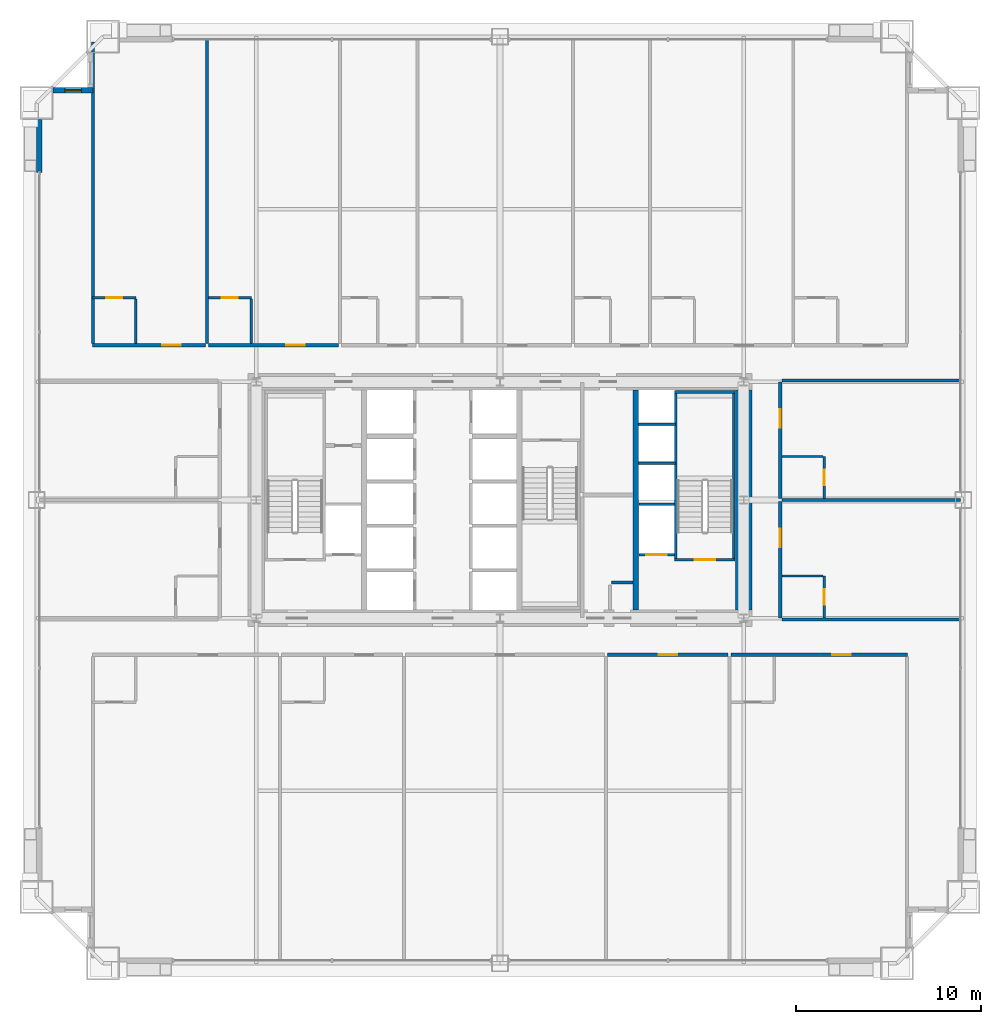
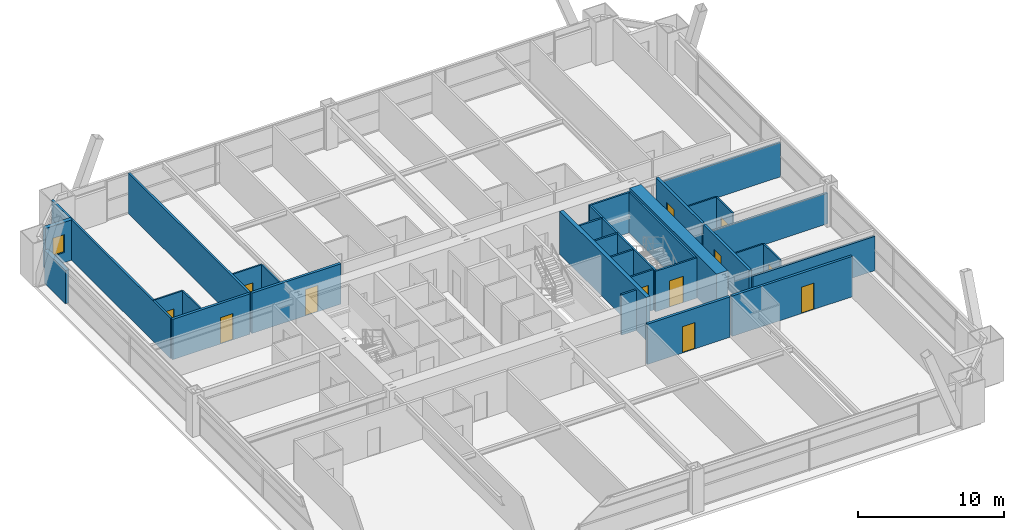
# One storey, part 41 of 43: 32 walls, 12 doors, 1 window, 13 openings.
"""IFC4 building model written with IfcOpenShell, lengths in metres."""

from ifc_helpers import new_model, si_unit, direction, frame, frame_2d, origin, place, context, subcontext, project, spatial, rectangle, extrude, source, transform, mapped, material, layer, layer_set, type_object, element, fill, save


model = new_model("IFC4")

# Units and contexts
model_context = context("Model", 3, precision=1e-05, world=origin(), true_north=direction((0.0, 1.0)))
body_context = subcontext(model_context, "Body", "Model", "MODEL_VIEW")
ifc_project = project(units=[si_unit("LENGTHUNIT", "METRE"), si_unit("AREAUNIT", "SQUARE_METRE"), si_unit("VOLUMEUNIT", "CUBIC_METRE"), si_unit("PLANEANGLEUNIT", "RADIAN"), si_unit("MASSUNIT", "GRAM", prefix="KILO"), si_unit("THERMODYNAMICTEMPERATUREUNIT", "KELVIN"), si_unit("POWERUNIT", "WATT")], contexts=[model_context])

# Site, building, storey
site_placement = place(None, origin())
site = spatial("IfcSite", under=ifc_project, at=site_placement, CompositionType="ELEMENT")
building_placement = place(site_placement, origin())
building = spatial("IfcBuilding", under=site, at=building_placement, Name="Yuzanri Waterfront Tower", CompositionType="ELEMENT")
storey_placement = place(building_placement, frame((0.0, 0.0, 46.0)))
storey = spatial("IfcBuildingStorey", under=building, at=storey_placement, Name="L11", CompositionType="ELEMENT", Elevation=46.0)

# Wall, opening, door
ifc_material_1 = material(Name="Moisture-Resistant Gypsum Stud Wall", Category="gypsum")
ifc_layer_1 = layer(ifc_material_1, 0.1201171875)
ifc_layer_set_1 = layer_set([ifc_layer_1], Name="Moisture-Resistant Gypsum Stud Wall")
wall_type_1 = type_object("IfcWallType", Name="Bathroom and Kitchen Wet Partition 120", PredefinedType="PARTITIONING", material=ifc_layer_set_1)
wall_1_placement = place(storey_placement, frame((14.93994140625, 36.760009765625, 0.0), z_axis=(0.0, 0.0, 1.0), x_axis=(1.0, 0.0, 0.0)))
wall_1 = element("IfcWall", 1, at=wall_1_placement, inside=storey, type_object=wall_type_1, Name="L11 Partition UW-L11-N1-BN", PredefinedType="PARTITIONING", context=body_context, shape_type="SweptSolid", body=[
    extrude(rectangle(XDim=2.330078125, YDim=0.1201171875, at=frame_2d((1.1650390625, 0.0))), origin(), (0.0, 0.0, 1.0), 3.3798828125),
])
opening_1_placement = place(wall_1_placement, frame((0.739990234375, 0.0, 0.0)))
opening_1 = element("IfcOpeningElement", 2, at=opening_1_placement, cuts=wall_1, Name="Opening ID-0850", PredefinedType="OPENING", context=body_context, shape_type="SweptSolid", body=[
    extrude(rectangle(XDim=0.85009765625, YDim=2.10009765625, at=frame_2d((0.425048828125, 1.050048828125))), frame((0.0, 0.074951171875, 0.0), z_axis=(0.0, -1.0, 0.0), x_axis=(1.0, 0.0, 0.0)), (0.0, 0.0, 1.0), 0.14990234375),
])
ifc_material_2 = material(Name="Moisture-Resistant Lacquered Timber", Category="wood")
door_type_1 = type_object("IfcDoorType", Name="En-Suite Bathroom and Kitchen Swing Door 850x2100", OperationType="NOTDEFINED", PredefinedType="DOOR", material=ifc_material_2)
shared_shape_1 = source(origin(), body_context, "Body", "SweptSolid", [
    extrude(rectangle(XDim=0.85009765625, YDim=2.10009765625, at=frame_2d((0.425048828125, 1.050048828125))), frame((0.0, 0.02490234375, 0.0), z_axis=(0.0, -1.0, 0.0), x_axis=(1.0, 0.0, 0.0)), (0.0, 0.0, 1.0), 0.050048828125),
])
door_1_placement = place(opening_1_placement, origin())
door_1 = element("IfcDoor", 3, at=door_1_placement, inside=storey, type_object=door_type_1, Name="L11 Guest En-Suite Door", OperationType="SINGLE_SWING_LEFT", OverallHeight=2.10009765625, OverallWidth=0.85009765625, PredefinedType="DOOR", context=body_context, shape_type="MappedRepresentation", body=[
    mapped(shared_shape_1, transform((0.0, 0.0, 0.0), scale=1.0)),
])
fill(opening_1, door_1)

wall_2_placement = place(storey_placement, frame((21.197021484375, 36.760009765625, 0.0), z_axis=(0.0, 0.0, 1.0), x_axis=(1.0, 0.0, 0.0)))
wall_2 = element("IfcWall", 4, at=wall_2_placement, inside=storey, type_object=wall_type_1, Name="L11 Partition UW-L11-N2-BN", PredefinedType="PARTITIONING", context=body_context, shape_type="SweptSolid", body=[
    extrude(rectangle(XDim=2.330078125, YDim=0.1201171875, at=frame_2d((1.1650390625, 0.0))), origin(), (0.0, 0.0, 1.0), 3.3798828125),
])
opening_2_placement = place(wall_2_placement, frame((0.739990234375, 0.0, 0.0)))
opening_2 = element("IfcOpeningElement", 5, at=opening_2_placement, cuts=wall_2, Name="Opening ID-0850", PredefinedType="OPENING", context=body_context, shape_type="SweptSolid", body=[
    extrude(rectangle(XDim=0.85009765625, YDim=2.10009765625, at=frame_2d((0.425048828125, 1.050048828125))), frame((0.0, 0.074951171875, 0.0), z_axis=(0.0, -1.0, 0.0), x_axis=(1.0, 0.0, 0.0)), (0.0, 0.0, 1.0), 0.14990234375),
])
door_2_placement = place(opening_2_placement, origin())
door_2 = element("IfcDoor", 6, at=door_2_placement, inside=storey, type_object=door_type_1, Name="L11 Guest En-Suite Door", OperationType="SINGLE_SWING_LEFT", OverallHeight=2.10009765625, OverallWidth=0.85009765625, PredefinedType="DOOR", context=body_context, shape_type="MappedRepresentation", body=[
    mapped(shared_shape_1, transform((0.0, 0.0, 0.0), scale=1.0)),
])
fill(opening_2, door_2)

wall_3_placement = place(storey_placement, frame((54.56005859375, 19.409912109375, 0.0), z_axis=(0.0, 0.0, 1.0), x_axis=(0.0, 1.0, 0.0)))
wall_3 = element("IfcWall", 7, at=wall_3_placement, inside=storey, type_object=wall_type_1, Name="L11 Partition UW-L11-E1-BE2", PredefinedType="PARTITIONING", context=body_context, shape_type="SweptSolid", body=[
    extrude(rectangle(XDim=2.280029296875, YDim=0.1201171875, at=frame_2d((1.14013671875, 0.0))), origin(), (0.0, 0.0, 1.0), 3.3798828125),
])
opening_3_placement = place(wall_3_placement, frame((0.715087890625, 0.0, 0.0)))
opening_3 = element("IfcOpeningElement", 8, at=opening_3_placement, cuts=wall_3, Name="Opening ID-0850", PredefinedType="OPENING", context=body_context, shape_type="SweptSolid", body=[
    extrude(rectangle(XDim=0.85009765625, YDim=2.10009765625, at=frame_2d((0.425048828125, 1.050048828125))), frame((0.0, 0.074951171875, 0.0), z_axis=(0.0, -1.0, 0.0), x_axis=(1.0, 0.0, 0.0)), (0.0, 0.0, 1.0), 0.14990234375),
])
door_3_placement = place(opening_3_placement, origin())
door_3 = element("IfcDoor", 9, at=door_3_placement, inside=storey, type_object=door_type_1, Name="L11 Guest En-Suite Door", OperationType="SINGLE_SWING_LEFT", OverallHeight=2.10009765625, OverallWidth=0.85009765625, PredefinedType="DOOR", context=body_context, shape_type="MappedRepresentation", body=[
    mapped(shared_shape_1, transform((0.0, 0.0, 0.0), scale=1.0)),
])
fill(opening_3, door_3)

wall_4_placement = place(storey_placement, frame((54.56005859375, 25.8798828125, 0.0), z_axis=(0.0, 0.0, 1.0), x_axis=(0.0, 1.0, 0.0)))
wall_4 = element("IfcWall", 10, at=wall_4_placement, inside=storey, type_object=wall_type_1, Name="L11 Partition UW-L11-E2-BE2", PredefinedType="PARTITIONING", context=body_context, shape_type="SweptSolid", body=[
    extrude(rectangle(XDim=2.280029296875, YDim=0.1201171875, at=frame_2d((1.14013671875, 0.0))), origin(), (0.0, 0.0, 1.0), 3.3798828125),
])
opening_4_placement = place(wall_4_placement, frame((0.715087890625, 0.0, 0.0)))
opening_4 = element("IfcOpeningElement", 11, at=opening_4_placement, cuts=wall_4, Name="Opening ID-0850", PredefinedType="OPENING", context=body_context, shape_type="SweptSolid", body=[
    extrude(rectangle(XDim=0.85009765625, YDim=2.10009765625, at=frame_2d((0.425048828125, 1.050048828125))), frame((0.0, 0.074951171875, 0.0), z_axis=(0.0, -1.0, 0.0), x_axis=(1.0, 0.0, 0.0)), (0.0, 0.0, 1.0), 0.14990234375),
])
door_4_placement = place(opening_4_placement, origin())
door_4 = element("IfcDoor", 12, at=door_4_placement, inside=storey, type_object=door_type_1, Name="L11 Guest En-Suite Door", OperationType="SINGLE_SWING_LEFT", OverallHeight=2.10009765625, OverallWidth=0.85009765625, PredefinedType="DOOR", context=body_context, shape_type="MappedRepresentation", body=[
    mapped(shared_shape_1, transform((0.0, 0.0, 0.0), scale=1.0)),
])
fill(opening_4, door_4)

# Wall, opening, window
ifc_material_3 = material(Name="Honed Chongqing Dark Basalt Stone", Category="masonry")
ifc_layer_2 = layer(ifc_material_3, 0.300048828125)
ifc_layer_set_2 = layer_set([ifc_layer_2], Name="Honed Chongqing Dark Basalt Stone")
wall_type_2 = type_object("IfcWallType", Name="Bronze Rainscreen Insulated Spandrel Portal Wall 300", PredefinedType="SOLIDWALL", material=ifc_layer_set_2)
wall_5_placement = place(storey_placement, frame((14.949951171875, 48.0, 0.0), z_axis=(0.0, 0.0, 1.0), x_axis=(-1.0, 0.0, 0.0)))
wall_5 = element("IfcWall", 13, at=wall_5_placement, inside=storey, type_object=wall_type_2, Name="L11 Notched Corner Masonry Wall NW-X", PredefinedType="SOLIDWALL", context=body_context, shape_type="SweptSolid", body=[
    extrude(rectangle(XDim=2.14990234375, YDim=0.300048828125, at=frame_2d((1.074951171875, 0.0))), origin(), (0.0, 0.0, 1.0), 3.3798828125),
])
opening_5_placement = place(wall_5_placement, frame((0.625, 0.0, 0.85009765625)))
opening_5 = element("IfcOpeningElement", 14, at=opening_5_placement, cuts=wall_5, Name="Opening WN-05", PredefinedType="OPENING", context=body_context, shape_type="SweptSolid", body=[
    extrude(rectangle(XDim=0.89990234375, YDim=1.5, at=frame_2d((0.449951171875, 0.75))), frame((0.0, 0.1650390625, 0.0), z_axis=(0.0, -1.0, 0.0), x_axis=(1.0, 0.0, 0.0)), (0.0, 0.0, 1.0), 0.329833984375),
])
ifc_material_4 = material(Name="Double-Silver Low-E Insulated Glass", Category="glass")
window_type = type_object("IfcWindowType", Name="Anodized Bronze Service and Stairwell Smoke-Vent Window 900x1500", PartitioningType="SINGLE_PANEL", PredefinedType="WINDOW", material=ifc_material_4)
shared_shape_2 = source(origin(), body_context, "Body", "SweptSolid", [
    extrude(rectangle(XDim=0.89990234375, YDim=1.5, at=frame_2d((0.449951171875, 0.75))), frame((0.0, 0.030029296875, 0.0), z_axis=(0.0, -1.0, 0.0), x_axis=(1.0, 0.0, 0.0)), (0.0, 0.0, 1.0), 0.06005859375),
])
window_placement = place(opening_5_placement, origin())
window = element("IfcWindow", 15, at=window_placement, inside=storey, type_object=window_type, Name="L11 Notched Corner Window NW-X", OverallHeight=1.5, OverallWidth=0.89990234375, PartitioningType="SINGLE_PANEL", PredefinedType="WINDOW", context=body_context, shape_type="MappedRepresentation", body=[
    mapped(shared_shape_2, transform((0.0, 0.0, 0.0), scale=1.0)),
])
fill(opening_5, window)

# Wall, opening, door
ifc_material_5 = material(Name="Concrete C40", Category="concrete")
ifc_layer_3 = layer(ifc_material_5, 0.139892578125)
ifc_layer_set_3 = layer_set([ifc_layer_3], Name="Concrete C40")
wall_type_3 = type_object("IfcWallType", Name="Core Stair Liner and Hoistway Shaft Wall 140", PredefinedType="SOLIDWALL", material=ifc_layer_set_3)
wall_6_placement = place(storey_placement, frame((44.52001953125, 22.830078125, 0.0), z_axis=(0.0, 0.0, 1.0), x_axis=(1.0, 0.0, 0.0)))
wall_6 = element("IfcWall", 16, at=wall_6_placement, inside=storey, type_object=wall_type_3, Name="L11 Lift FL-02 Front Shaft Wall", PredefinedType="SOLIDWALL", context=body_context, shape_type="SweptSolid", body=[
    extrude(rectangle(XDim=1.919921875, YDim=0.139892578125, at=frame_2d((0.9599609375, 0.0))), origin(), (0.0, 0.0, 1.0), 3.3798828125),
])
opening_6_placement = place(wall_6_placement, frame((0.409912109375, 0.0, 0.0)))
opening_6 = element("IfcOpeningElement", 17, at=opening_6_placement, cuts=wall_6, Name="Opening LD-FL-02", PredefinedType="OPENING", context=body_context, shape_type="SweptSolid", body=[
    extrude(rectangle(XDim=1.10009765625, YDim=2.199951171875, at=frame_2d((0.550048828125, 1.10009765625))), frame((0.0, 0.0849609375, 0.0), z_axis=(0.0, -1.0, 0.0), x_axis=(1.0, 0.0, 0.0)), (0.0, 0.0, 1.0), 0.169677734375),
])
ifc_material_6 = material(Name="Brushed Bronze and Stainless Steel Cab", Category="steel")
door_type_2 = type_object("IfcDoorType", Name="Center-Parting Bronze Lift Landing Sliding Door 1100x2200", OperationType="NOTDEFINED", PredefinedType="DOOR", material=ifc_material_6)
shared_shape_3 = source(origin(), body_context, "Body", "SweptSolid", [
    extrude(rectangle(XDim=1.10009765625, YDim=2.199951171875, at=frame_2d((0.550048828125, 1.10009765625))), frame((0.0, 0.02490234375, 0.0), z_axis=(0.0, -1.0, 0.0), x_axis=(1.0, 0.0, 0.0)), (0.0, 0.0, 1.0), 0.050048828125),
])
door_5_placement = place(opening_6_placement, origin())
door_5 = element("IfcDoor", 18, at=door_5_placement, inside=storey, type_object=door_type_2, Name="L11 FL-02 Lift Landing Sliding Door", OperationType="SLIDING_TO_RIGHT", OverallHeight=2.199951171875, OverallWidth=1.10009765625, PredefinedType="DOOR", context=body_context, shape_type="MappedRepresentation", body=[
    mapped(shared_shape_3, transform((0.0, 0.0, 0.0), scale=1.0)),
])
fill(opening_6, door_5)

wall_7_placement = place(storey_placement, frame((46.4599609375, 22.570068359375, 0.0), z_axis=(0.0, 0.0, 1.0), x_axis=(1.0, 0.0, 0.0)))
wall_7 = element("IfcWall", 19, at=wall_7_placement, inside=storey, type_object=wall_type_3, Name="L11 Shaft Wall STW-L11-ST-02-S", PredefinedType="SOLIDWALL", context=body_context, shape_type="SweptSolid", body=[
    extrude(rectangle(XDim=3.280029296875, YDim=0.139892578125, at=frame_2d((1.64013671875, 0.0))), origin(), (0.0, 0.0, 1.0), 3.3798828125),
])
opening_7_placement = place(wall_7_placement, frame((1.090087890625, 0.0, 0.0)))
opening_7 = element("IfcOpeningElement", 20, at=opening_7_placement, cuts=wall_7, Name="Opening FD-1100", PredefinedType="OPENING", context=body_context, shape_type="SweptSolid", body=[
    extrude(rectangle(XDim=1.10009765625, YDim=2.199951171875, at=frame_2d((0.550048828125, 1.10009765625))), frame((0.0, 0.0849609375, 0.0), z_axis=(0.0, -1.0, 0.0), x_axis=(1.0, 0.0, 0.0)), (0.0, 0.0, 1.0), 0.169677734375),
])
ifc_material_7 = material(Name="Painted Galvanized Fire Steel", Category="steel")
door_type_3 = type_object("IfcDoorType", Name="Smoke-Proof Stair and Lobby Fire Door 1100x2200", OperationType="NOTDEFINED", PredefinedType="DOOR", material=ifc_material_7)
shared_shape_4 = source(origin(), body_context, "Body", "SweptSolid", [
    extrude(rectangle(XDim=1.10009765625, YDim=2.199951171875, at=frame_2d((0.550048828125, 1.10009765625))), frame((0.0, 0.02490234375, 0.0), z_axis=(0.0, -1.0, 0.0), x_axis=(1.0, 0.0, 0.0)), (0.0, 0.0, 1.0), 0.050048828125),
])
door_6_placement = place(opening_7_placement, origin())
door_6 = element("IfcDoor", 21, at=door_6_placement, inside=storey, type_object=door_type_3, Name="L11 Stair ST-02 Fire Door", OperationType="SINGLE_SWING_RIGHT", OverallHeight=2.199951171875, OverallWidth=1.10009765625, PredefinedType="DOOR", context=body_context, shape_type="MappedRepresentation", body=[
    mapped(shared_shape_4, transform((0.0, 0.0, 0.0), scale=1.0)),
])
fill(opening_7, door_6)

ifc_material_8 = material(Name="Autoclaved Aerated Concrete Blockwork", Category="masonry")
ifc_layer_4 = layer(ifc_material_8, 0.199951171875)
ifc_layer_set_4 = layer_set([ifc_layer_4], Name="Autoclaved Aerated Concrete Blockwork")
wall_type_4 = type_object("IfcWallType", Name="Corridor and Unit Party Fire Wall 200", PredefinedType="PARTITIONING", material=ifc_layer_set_4)
wall_8_placement = place(storey_placement, frame((42.81591796875, 17.419921875, 0.0), z_axis=(0.0, 0.0, 1.0), x_axis=(1.0, 0.0, 0.0)))
wall_8 = element("IfcWall", 22, at=wall_8_placement, inside=storey, type_object=wall_type_4, Name="L11 Partition UW-L11-S4-CN", PredefinedType="PARTITIONING", context=body_context, shape_type="SweptSolid", body=[
    extrude(rectangle(XDim=6.546142578125, YDim=0.199951171875, at=frame_2d((3.27294921875, 0.0))), origin(), (0.0, 0.0, 1.0), 3.3798828125),
])
opening_8_placement = place(wall_8_placement, frame((2.77294921875, 0.0, 0.0)))
opening_8 = element("IfcOpeningElement", 23, at=opening_8_placement, cuts=wall_8, Name="Opening FD-1000", PredefinedType="OPENING", context=body_context, shape_type="SweptSolid", body=[
    extrude(rectangle(XDim=1.0, YDim=2.199951171875, at=frame_2d((0.5, 1.10009765625))), frame((0.0, 0.11474609375, 0.0), z_axis=(0.0, -1.0, 0.0), x_axis=(1.0, 0.0, 0.0)), (0.0, 0.0, 1.0), 0.229736328125),
])
ifc_material_9 = material(Name="Engineered Oak Fire-Rated Timber", Category="wood")
door_type_4 = type_object("IfcDoorType", Name="Guestroom and Apartment Entrance Fire Door 1000x2200", OperationType="NOTDEFINED", PredefinedType="DOOR", material=ifc_material_9)
shared_shape_5 = source(origin(), body_context, "Body", "SweptSolid", [
    extrude(rectangle(XDim=1.0, YDim=2.199951171875, at=frame_2d((0.5, 1.10009765625))), frame((0.0, 0.02490234375, 0.0), z_axis=(0.0, -1.0, 0.0), x_axis=(1.0, 0.0, 0.0)), (0.0, 0.0, 1.0), 0.050048828125),
])
door_7_placement = place(opening_8_placement, origin())
door_7 = element("IfcDoor", 24, at=door_7_placement, inside=storey, type_object=door_type_4, Name="L11 Summit Meeting Room Entrance Door", OperationType="SINGLE_SWING_LEFT", OverallHeight=2.199951171875, OverallWidth=1.0, PredefinedType="DOOR", context=body_context, shape_type="MappedRepresentation", body=[
    mapped(shared_shape_5, transform((0.0, 0.0, 0.0), scale=1.0)),
])
fill(opening_8, door_7)

wall_9_placement = place(storey_placement, frame((49.52197265625, 17.419921875, 0.0), z_axis=(0.0, 0.0, 1.0), x_axis=(1.0, 0.0, 0.0)))
wall_9 = element("IfcWall", 25, at=wall_9_placement, inside=storey, type_object=wall_type_4, Name="L11 Partition UW-L11-S5-CN", PredefinedType="PARTITIONING", context=body_context, shape_type="SweptSolid", body=[
    extrude(rectangle(XDim=9.5380859375, YDim=0.199951171875, at=frame_2d((4.76904296875, 0.0))), origin(), (0.0, 0.0, 1.0), 3.3798828125),
])
opening_9_placement = place(wall_9_placement, frame((5.47412109375, 0.0, 0.0)))
opening_9 = element("IfcOpeningElement", 26, at=opening_9_placement, cuts=wall_9, Name="Opening FD-1000", PredefinedType="OPENING", context=body_context, shape_type="SweptSolid", body=[
    extrude(rectangle(XDim=1.0, YDim=2.199951171875, at=frame_2d((0.5, 1.10009765625))), frame((0.0, 0.11474609375, 0.0), z_axis=(0.0, -1.0, 0.0), x_axis=(1.0, 0.0, 0.0)), (0.0, 0.0, 1.0), 0.229736328125),
])
door_8_placement = place(opening_9_placement, origin())
door_8 = element("IfcDoor", 27, at=door_8_placement, inside=storey, type_object=door_type_4, Name="L11 Corner Suite Entrance Door", OperationType="SINGLE_SWING_RIGHT", OverallHeight=2.199951171875, OverallWidth=1.0, PredefinedType="DOOR", context=body_context, shape_type="MappedRepresentation", body=[
    mapped(shared_shape_5, transform((0.0, 0.0, 0.0), scale=1.0)),
])
fill(opening_9, door_8)

wall_10_placement = place(storey_placement, frame((14.93994140625, 34.179931640625, 0.0), z_axis=(0.0, 0.0, 1.0), x_axis=(1.0, 0.0, 0.0)))
wall_10 = element("IfcWall", 28, at=wall_10_placement, inside=storey, type_object=wall_type_4, Name="L11 Partition UW-L11-N1-CS", PredefinedType="PARTITIONING", context=body_context, shape_type="SweptSolid", body=[
    extrude(rectangle(XDim=6.09716796875, YDim=0.199951171875, at=frame_2d((3.048583984375, 0.0))), origin(), (0.0, 0.0, 1.0), 3.3798828125),
])
opening_10_placement = place(wall_10_placement, frame((3.75390625, 0.0, 0.0)))
opening_10 = element("IfcOpeningElement", 29, at=opening_10_placement, cuts=wall_10, Name="Opening FD-1000", PredefinedType="OPENING", context=body_context, shape_type="SweptSolid", body=[
    extrude(rectangle(XDim=1.0, YDim=2.199951171875, at=frame_2d((0.5, 1.10009765625))), frame((0.0, 0.11474609375, 0.0), z_axis=(0.0, -1.0, 0.0), x_axis=(1.0, 0.0, 0.0)), (0.0, 0.0, 1.0), 0.229736328125),
])
door_9_placement = place(opening_10_placement, origin())
door_9 = element("IfcDoor", 30, at=door_9_placement, inside=storey, type_object=door_type_4, Name="L11 Superior Twin Junior Suite Entrance Door", OperationType="SINGLE_SWING_RIGHT", OverallHeight=2.199951171875, OverallWidth=1.0, PredefinedType="DOOR", context=body_context, shape_type="MappedRepresentation", body=[
    mapped(shared_shape_5, transform((0.0, 0.0, 0.0), scale=1.0)),
])
fill(opening_10, door_9)

wall_11_placement = place(storey_placement, frame((21.197021484375, 34.179931640625, 0.0), z_axis=(0.0, 0.0, 1.0), x_axis=(1.0, 0.0, 0.0)))
wall_11 = element("IfcWall", 31, at=wall_11_placement, inside=storey, type_object=wall_type_4, Name="L11 Partition UW-L11-N2-CS", PredefinedType="PARTITIONING", context=body_context, shape_type="SweptSolid", body=[
    extrude(rectangle(XDim=7.06298828125, YDim=0.199951171875, at=frame_2d((3.531494140625, 0.0))), origin(), (0.0, 0.0, 1.0), 3.3798828125),
])
opening_11_placement = place(wall_11_placement, frame((4.237060546875, 0.0, 0.0)))
opening_11 = element("IfcOpeningElement", 32, at=opening_11_placement, cuts=wall_11, Name="Opening FD-1000", PredefinedType="OPENING", context=body_context, shape_type="SweptSolid", body=[
    extrude(rectangle(XDim=1.0, YDim=2.199951171875, at=frame_2d((0.5, 1.10009765625))), frame((0.0, 0.11474609375, 0.0), z_axis=(0.0, -1.0, 0.0), x_axis=(1.0, 0.0, 0.0)), (0.0, 0.0, 1.0), 0.229736328125),
])
door_10_placement = place(opening_11_placement, origin())
door_10 = element("IfcDoor", 33, at=door_10_placement, inside=storey, type_object=door_type_4, Name="L11 Superior Twin Junior Suite Entrance Door", OperationType="SINGLE_SWING_RIGHT", OverallHeight=2.199951171875, OverallWidth=1.0, PredefinedType="DOOR", context=body_context, shape_type="MappedRepresentation", body=[
    mapped(shared_shape_5, transform((0.0, 0.0, 0.0), scale=1.0)),
])
fill(opening_11, door_10)

wall_12_placement = place(storey_placement, frame((52.179931640625, 19.409912109375, 0.0), z_axis=(0.0, 0.0, 1.0), x_axis=(0.0, 1.0, 0.0)))
wall_12 = element("IfcWall", 34, at=wall_12_placement, inside=storey, type_object=wall_type_4, Name="L11 Partition UW-L11-E1-CW", PredefinedType="PARTITIONING", context=body_context, shape_type="SweptSolid", body=[
    extrude(rectangle(XDim=6.31005859375, YDim=0.199951171875, at=frame_2d((3.155029296875, 0.0))), origin(), (0.0, 0.0, 1.0), 3.3798828125),
])
opening_12_placement = place(wall_12_placement, frame((3.8349609375, 0.0, 0.0)))
opening_12 = element("IfcOpeningElement", 35, at=opening_12_placement, cuts=wall_12, Name="Opening FD-1000", PredefinedType="OPENING", context=body_context, shape_type="SweptSolid", body=[
    extrude(rectangle(XDim=1.0, YDim=2.199951171875, at=frame_2d((0.5, 1.10009765625))), frame((0.0, 0.11474609375, 0.0), z_axis=(0.0, -1.0, 0.0), x_axis=(1.0, 0.0, 0.0)), (0.0, 0.0, 1.0), 0.229736328125),
])
door_11_placement = place(opening_12_placement, origin())
door_11 = element("IfcDoor", 36, at=door_11_placement, inside=storey, type_object=door_type_4, Name="L11 East Suite Entrance Door", OperationType="SINGLE_SWING_RIGHT", OverallHeight=2.199951171875, OverallWidth=1.0, PredefinedType="DOOR", context=body_context, shape_type="MappedRepresentation", body=[
    mapped(shared_shape_5, transform((0.0, 0.0, 0.0), scale=1.0)),
])
fill(opening_12, door_11)

wall_13_placement = place(storey_placement, frame((52.179931640625, 25.8798828125, 0.0), z_axis=(0.0, 0.0, 1.0), x_axis=(0.0, 1.0, 0.0)))
wall_13 = element("IfcWall", 37, at=wall_13_placement, inside=storey, type_object=wall_type_4, Name="L11 Partition UW-L11-E2-CW", PredefinedType="PARTITIONING", context=body_context, shape_type="SweptSolid", body=[
    extrude(rectangle(XDim=6.31005859375, YDim=0.199951171875, at=frame_2d((3.155029296875, 0.0))), origin(), (0.0, 0.0, 1.0), 3.3798828125),
])
opening_13_placement = place(wall_13_placement, frame((3.8349609375, 0.0, 0.0)))
opening_13 = element("IfcOpeningElement", 38, at=opening_13_placement, cuts=wall_13, Name="Opening FD-1000", PredefinedType="OPENING", context=body_context, shape_type="SweptSolid", body=[
    extrude(rectangle(XDim=1.0, YDim=2.199951171875, at=frame_2d((0.5, 1.10009765625))), frame((0.0, 0.11474609375, 0.0), z_axis=(0.0, -1.0, 0.0), x_axis=(1.0, 0.0, 0.0)), (0.0, 0.0, 1.0), 0.229736328125),
])
door_12_placement = place(opening_13_placement, origin())
door_12 = element("IfcDoor", 39, at=door_12_placement, inside=storey, type_object=door_type_4, Name="L11 East Suite Entrance Door", OperationType="SINGLE_SWING_RIGHT", OverallHeight=2.199951171875, OverallWidth=1.0, PredefinedType="DOOR", context=body_context, shape_type="MappedRepresentation", body=[
    mapped(shared_shape_5, transform((0.0, 0.0, 0.0), scale=1.0)),
])
fill(opening_13, door_12)

# Walls
ifc_material_10 = material(Name="Concrete C60", Category="concrete")
ifc_layer_5 = layer(ifc_material_10, 0.89990234375)
ifc_layer_set_5 = layer_set([ifc_layer_5], Name="Concrete C60")
wall_type_5 = type_object("IfcWallType", Name="Concrete C60 Lower Zone Core Shear Wall 900", PredefinedType="SHEAR", material=ifc_layer_set_5)
shared_shape_6 = source(origin(), body_context, "Body", "SweptSolid", [
    extrude(rectangle(XDim=11.89990234375, YDim=0.89990234375, at=frame_2d((5.949951171875, 0.0))), origin(), (0.0, 0.0, 1.0), 3.60009765625),
])
wall_14_placement = place(storey_placement, frame((50.199951171875, 19.85009765625, 0.0), z_axis=(0.0, 0.0, 1.0), x_axis=(0.0, 1.0, 0.0)))
element("IfcWall", 40, at=wall_14_placement, inside=storey, type_object=wall_type_5, Name="L11 Core East Shear Wall", PredefinedType="SHEAR", context=body_context, shape_type="MappedRepresentation", body=[
    mapped(shared_shape_6, transform((0.0, 0.0, 0.0), scale=1.0)),
])
ifc_material_11 = material(Name="Concrete C50", Category="concrete")
ifc_layer_6 = layer(ifc_material_11, 0.300048828125)
ifc_layer_set_6 = layer_set([ifc_layer_6], Name="Concrete C50")
wall_type_6 = type_object("IfcWallType", Name="Concrete C50 Internal Core Shaft Structural Wall 300", PredefinedType="SOLIDWALL", material=ifc_layer_set_6)
shared_shape_7 = source(origin(), body_context, "Body", "SweptSolid", [
    extrude(rectangle(XDim=11.89990234375, YDim=0.300048828125, at=frame_2d((5.949951171875, 0.0))), origin(), (0.0, 0.0, 1.0), 3.60009765625),
])
wall_15_placement = place(storey_placement, frame((44.35009765625, 19.85009765625, 0.0), z_axis=(0.0, 0.0, 1.0), x_axis=(0.0, 1.0, 0.0)))
element("IfcWall", 41, at=wall_15_placement, inside=storey, type_object=wall_type_6, Name="L11 Core Internal Structural Web Wall 3", PredefinedType="SOLIDWALL", context=body_context, shape_type="MappedRepresentation", body=[
    mapped(shared_shape_7, transform((0.0, 0.0, 0.0), scale=1.0)),
])
shared_shape_8 = source(origin(), body_context, "Body", "SweptSolid", [
    extrude(rectangle(XDim=2.849853515625, YDim=0.300048828125, at=frame_2d((1.4248046875, 0.0))), origin(), (0.0, 0.0, 1.0), 2.77490234375),
])
wall_16_placement = place(storey_placement, frame((12.050048828125, 43.550048828125, 0.0), z_axis=(0.0, 0.0, 1.0), x_axis=(0.0, 1.0, 0.0)))
element("IfcWall", 42, at=wall_16_placement, inside=storey, type_object=wall_type_2, Name="L11 W Right Braced Masonry Shoulder", PredefinedType="SOLIDWALL", context=body_context, shape_type="MappedRepresentation", body=[
    mapped(shared_shape_8, transform((0.0, 0.0, 0.0), scale=1.0)),
])
shared_shape_9 = source(origin(), body_context, "Body", "SweptSolid", [
    extrude(rectangle(XDim=1.919921875, YDim=0.139892578125, at=frame_2d((0.9599609375, 0.0))), origin(), (0.0, 0.0, 1.0), 3.3798828125),
])
wall_17_placement = place(storey_placement, frame((44.52001953125, 25.570068359375, 0.0), z_axis=(0.0, 0.0, 1.0), x_axis=(1.0, 0.0, 0.0)))
element("IfcWall", 43, at=wall_17_placement, inside=storey, type_object=wall_type_3, Name="L11 Lift FL-02 Back Shaft Wall", PredefinedType="SOLIDWALL", context=body_context, shape_type="MappedRepresentation", body=[
    mapped(shared_shape_9, transform((0.0, 0.0, 0.0), scale=1.0)),
])
shared_shape_10 = source(origin(), body_context, "Body", "SweptSolid", [
    extrude(rectangle(XDim=2.0, YDim=0.139892578125, at=frame_2d((1.0, 0.0))), origin(), (0.0, 0.0, 1.0), 3.3798828125),
])
for number, where, z_axis, x_axis, name in (
    (44, (44.5, 27.800048828125, 0.0), (0.0, 0.0, 1.0), (1.0, 0.0, 0.0), "L11 Lift PL-09 Divider Wall"),
    (45, (44.5, 29.89990234375, 0.0), (0.0, 0.0, 1.0), (1.0, 0.0, 0.0), "L11 Lift PL-10 Divider Wall"),
):
    element("IfcWall", number, at=place(storey_placement, frame(where, z_axis=z_axis, x_axis=x_axis)), inside=storey, type_object=wall_type_3, Name=name, PredefinedType="SOLIDWALL", context=body_context, shape_type="MappedRepresentation", body=[
        mapped(shared_shape_10, transform((0.0, 0.0, 0.0), scale=1.0)),
    ])
shared_shape_11 = source(origin(), body_context, "Body", "SweptSolid", [
    extrude(rectangle(XDim=3.280029296875, YDim=0.139892578125, at=frame_2d((1.64013671875, 0.0))), origin(), (0.0, 0.0, 1.0), 3.3798828125),
])
wall_18_placement = place(storey_placement, frame((46.4599609375, 31.64990234375, 0.0), z_axis=(0.0, 0.0, 1.0), x_axis=(1.0, 0.0, 0.0)))
element("IfcWall", 46, at=wall_18_placement, inside=storey, type_object=wall_type_3, Name="L11 Stair ST-02 North Shaft Wall", PredefinedType="SOLIDWALL", context=body_context, shape_type="MappedRepresentation", body=[
    mapped(shared_shape_11, transform((0.0, 0.0, 0.0), scale=1.0)),
])
shared_shape_12 = source(origin(), body_context, "Body", "SweptSolid", [
    extrude(rectangle(XDim=8.940185546875, YDim=0.139892578125, at=frame_2d((4.47021484375, 0.0))), origin(), (0.0, 0.0, 1.0), 3.3798828125),
])
for number, where, z_axis, x_axis, name in (
    (47, (46.530029296875, 22.639892578125, 0.0), (0.0, 0.0, 1.0), (0.0, 1.0, 0.0), "L11 Stair ST-02 West Shaft Wall"),
    (48, (49.669921875, 22.639892578125, 0.0), (0.0, 0.0, 1.0), (0.0, 1.0, 0.0), "L11 Stair ST-02 East Shaft Wall"),
):
    element("IfcWall", number, at=place(storey_placement, frame(where, z_axis=z_axis, x_axis=x_axis)), inside=storey, type_object=wall_type_3, Name=name, PredefinedType="SOLIDWALL", context=body_context, shape_type="MappedRepresentation", body=[
        mapped(shared_shape_12, transform((0.0, 0.0, 0.0), scale=1.0)),
    ])
ifc_material_12 = material(Name="Gypsum Fireboard Acoustic Stud Wall", Category="gypsum")
ifc_layer_7 = layer(ifc_material_12, 0.159912109375)
ifc_layer_set_7 = layer_set([ifc_layer_7], Name="Gypsum Fireboard Acoustic Stud Wall")
wall_type_7 = type_object("IfcWallType", Name="Acoustic Suite Demising Partition 160", PredefinedType="PARTITIONING", material=ifc_layer_set_7)
shared_shape_13 = source(origin(), body_context, "Body", "SweptSolid", [
    extrude(rectangle(XDim=1.169921875, YDim=0.159912109375, at=frame_2d((0.5849609375, 0.0))), origin(), (0.0, 0.0, 1.0), 3.3798828125),
])
wall_19_placement = place(storey_placement, frame((43.030029296875, 21.320068359375, 0.0), z_axis=(0.0, 0.0, 1.0), x_axis=(1.0, 0.0, 0.0)))
element("IfcWall", 49, at=wall_19_placement, inside=storey, type_object=wall_type_7, Name="L11 East Wet Riser North Wall", PredefinedType="PARTITIONING", context=body_context, shape_type="MappedRepresentation", body=[
    mapped(shared_shape_13, transform((0.0, 0.0, 0.0), scale=1.0)),
])
shared_shape_14 = source(origin(), body_context, "Body", "SweptSolid", [
    extrude(rectangle(XDim=16.469970703125, YDim=0.159912109375, at=frame_2d((8.23486328125, 0.0))), origin(), (0.0, 0.0, 1.0), 3.3798828125),
])
wall_20_placement = place(storey_placement, frame((21.116943359375, 34.280029296875, 0.0), z_axis=(0.0, 0.0, 1.0), x_axis=(0.0, 1.0, 0.0)))
element("IfcWall", 50, at=wall_20_placement, inside=storey, type_object=wall_type_7, Name="L11-N1 Party Wall", PredefinedType="PARTITIONING", context=body_context, shape_type="MappedRepresentation", body=[
    mapped(shared_shape_14, transform((0.0, 0.0, 0.0), scale=1.0)),
])
shared_shape_15 = source(origin(), body_context, "Body", "SweptSolid", [
    extrude(rectangle(XDim=16.320068359375, YDim=0.159912109375, at=frame_2d((8.16015625, 0.0))), origin(), (0.0, 0.0, 1.0), 3.3798828125),
])
wall_21_placement = place(storey_placement, frame((14.949951171875, 34.280029296875, 0.0), z_axis=(0.0, 0.0, 1.0), x_axis=(0.0, 1.0, 0.0)))
element("IfcWall", 51, at=wall_21_placement, inside=storey, type_object=wall_type_7, Name="L11 North Band West End Wall", PredefinedType="PARTITIONING", context=body_context, shape_type="MappedRepresentation", body=[
    mapped(shared_shape_15, transform((0.0, 0.0, 0.0), scale=1.0)),
])
shared_shape_16 = source(origin(), body_context, "Body", "SweptSolid", [
    extrude(rectangle(XDim=2.419921875, YDim=0.1201171875, at=frame_2d((1.2099609375, 0.0))), origin(), (0.0, 0.0, 1.0), 3.3798828125),
])
for number, where, z_axis, x_axis, name in (
    (52, (17.27001953125, 34.280029296875, 0.0), (0.0, 0.0, 1.0), (0.0, 1.0, 0.0), "L11-N1 En-Suite Side Wall"),
    (53, (23.527099609375, 34.280029296875, 0.0), (0.0, 0.0, 1.0), (0.0, 1.0, 0.0), "L11-N2 En-Suite Side Wall"),
):
    element("IfcWall", number, at=place(storey_placement, frame(where, z_axis=z_axis, x_axis=x_axis)), inside=storey, type_object=wall_type_1, Name=name, PredefinedType="PARTITIONING", context=body_context, shape_type="MappedRepresentation", body=[
        mapped(shared_shape_16, transform((0.0, 0.0, 0.0), scale=1.0)),
    ])
shared_shape_17 = source(origin(), body_context, "Body", "SweptSolid", [
    extrude(rectangle(XDim=9.669921875, YDim=0.159912109375, at=frame_2d((4.8349609375, 0.0))), origin(), (0.0, 0.0, 1.0), 2.574951171875),
])
wall_22_placement = place(storey_placement, frame((52.280029296875, 25.800048828125, 0.0), z_axis=(0.0, 0.0, 1.0), x_axis=(1.0, 0.0, 0.0)))
element("IfcWall", 54, at=wall_22_placement, inside=storey, type_object=wall_type_7, Name="L11-E1 Wing Party Wall", PredefinedType="PARTITIONING", context=body_context, shape_type="MappedRepresentation", body=[
    mapped(shared_shape_17, transform((0.0, 0.0, 0.0), scale=1.0)),
])
shared_shape_18 = source(origin(), body_context, "Body", "SweptSolid", [
    extrude(rectangle(XDim=9.669921875, YDim=0.159912109375, at=frame_2d((4.8349609375, 0.0))), origin(), (0.0, 0.0, 1.0), 2.875),
])
for number, where, z_axis, x_axis, name in (
    (55, (52.280029296875, 19.330078125, 0.0), (0.0, 0.0, 1.0), (1.0, 0.0, 0.0), "L11-E1 Wing South End Wall"),
    (56, (52.280029296875, 32.27001953125, 0.0), (0.0, 0.0, 1.0), (1.0, 0.0, 0.0), "L11-E2 Wing North End Wall"),
):
    element("IfcWall", number, at=place(storey_placement, frame(where, z_axis=z_axis, x_axis=x_axis)), inside=storey, type_object=wall_type_7, Name=name, PredefinedType="PARTITIONING", context=body_context, shape_type="MappedRepresentation", body=[
        mapped(shared_shape_18, transform((0.0, 0.0, 0.0), scale=1.0)),
    ])
shared_shape_19 = source(origin(), body_context, "Body", "SweptSolid", [
    extrude(rectangle(XDim=2.219970703125, YDim=0.1201171875, at=frame_2d((1.10986328125, 0.0))), origin(), (0.0, 0.0, 1.0), 3.3798828125),
])
for number, where, z_axis, x_axis, name in (
    (57, (52.280029296875, 21.68994140625, 0.0), (0.0, 0.0, 1.0), (1.0, 0.0, 0.0), "L11-E1 En-Suite Top Wall"),
    (58, (52.280029296875, 28.159912109375, 0.0), (0.0, 0.0, 1.0), (1.0, 0.0, 0.0), "L11-E2 En-Suite Top Wall"),
):
    element("IfcWall", number, at=place(storey_placement, frame(where, z_axis=z_axis, x_axis=x_axis)), inside=storey, type_object=wall_type_1, Name=name, PredefinedType="PARTITIONING", context=body_context, shape_type="MappedRepresentation", body=[
        mapped(shared_shape_19, transform((0.0, 0.0, 0.0), scale=1.0)),
    ])

save(model, "model.ifc")
